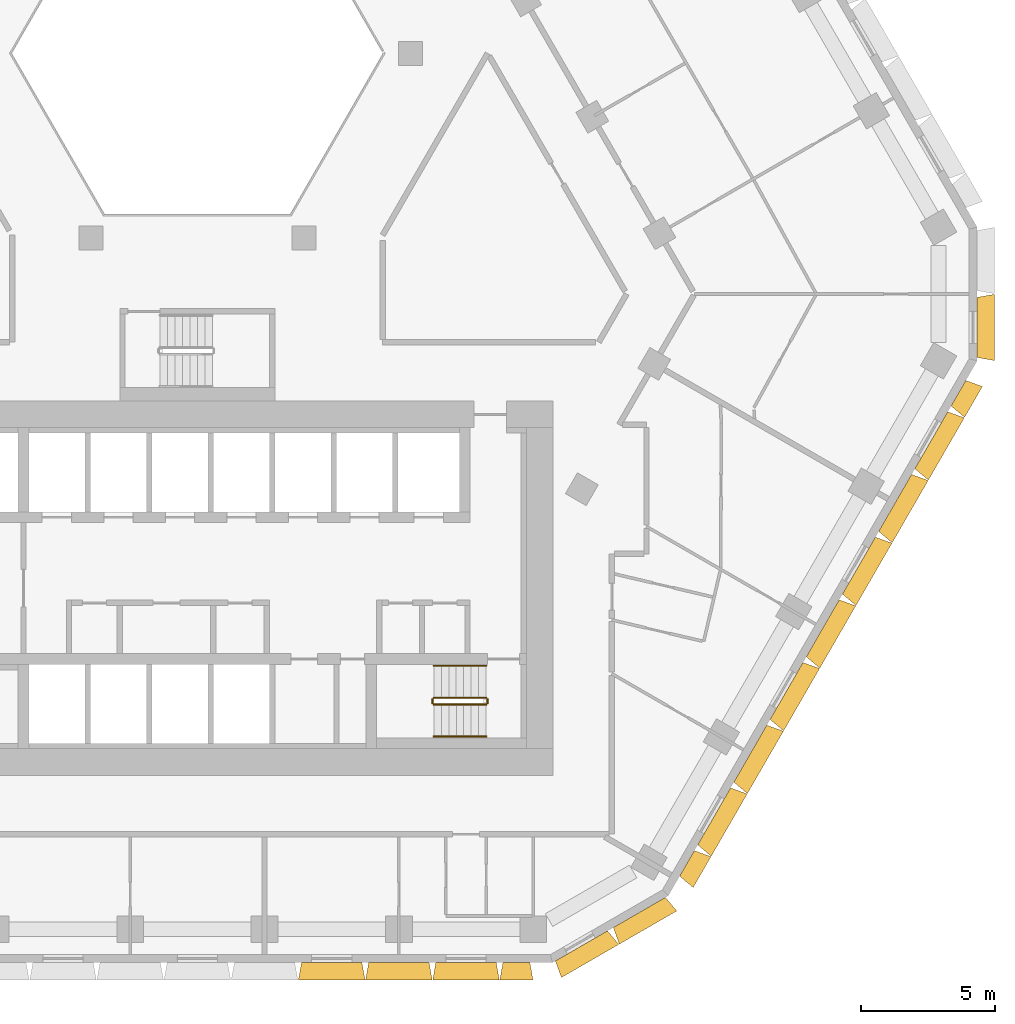
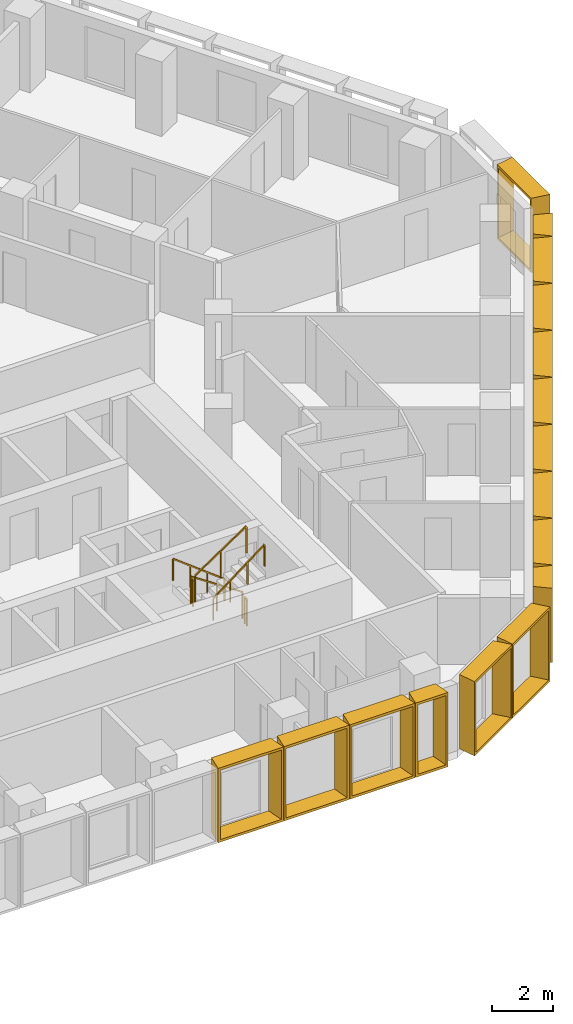
# One storey, part 15 of 16: 16 shading devices, 6 railings.
"""IFC4 building model written with IfcOpenShell, lengths in metres."""

import ifcopenshell
import ifcopenshell.guid

model = None  # the IFC model being written
_history = None  # IfcOwnerHistory: only IFC2X3 demands one
_inside = {}  # id of a spatial element -> (the spatial element, [elements in it])
_under = {}  # id of a project, library or spatial element -> (it, [spatial elements below it])
_declared = {}  # id of a project -> (the project, [libraries it declares])
_typed = {}  # id of a type object -> (the type object, [elements of that type])
_made_of = {}  # id of a material, layer set ... -> (it, [elements and type objects made of it])


def new_model(schema):
    """Start an empty IFC model of exactly this schema.

    Asked for "IFC4X3", IfcOpenShell would pick the latest addendum, in which some entities
    have other attributes; the version numbers below select the first issue.
    IFC2X3 requires an IfcOwnerHistory on every rooted entity: one is made here for all.
    """
    global model, _history
    if schema == "IFC4X3":
        model = ifcopenshell.file(schema_version=(4, 3, 0, 0))
    else:
        model = ifcopenshell.file(schema=schema)
    _inside.clear()
    _under.clear()
    _declared.clear()
    _typed.clear()
    _made_of.clear()
    _history = None
    if model.schema == "IFC2X3":
        org = make("IfcOrganization", Name="unknown")
        user = make(
            "IfcPersonAndOrganization",
            ThePerson=make("IfcPerson", FamilyName="unknown"),
            TheOrganization=org,
        )
        app = make(
            "IfcApplication",
            ApplicationDeveloper=org,
            Version="unknown",
            ApplicationFullName="unknown",
            ApplicationIdentifier="unknown",
        )
        _history = make(
            "IfcOwnerHistory",
            OwningUser=user,
            OwningApplication=app,
            ChangeAction="ADDED",
            CreationDate=0,
        )
    return model


def make(cls, **values):
    """One entity of the class cls with the attributes given. An attribute that is None is left unset."""
    return model.create_entity(
        cls, **{name: value for name, value in values.items() if value is not None}
    )


def entity(cls, *values):
    """Any entity or typed value of the class cls, its attributes in the order of the schema. None: left unset."""
    e = model.create_entity(cls)
    for i, value in enumerate(values):
        if value is not None:
            e[i] = value
    return e


def rooted(cls, **values):
    """An entity with a GlobalId (a new one), such as an element, a storey or a relation."""
    return make(cls, GlobalId=ifcopenshell.guid.new(), OwnerHistory=_history, **values)


def si_unit(unit_type, name, prefix=None):
    """IfcSIUnit, for example si_unit("LENGTHUNIT", "METRE", prefix="MILLI")."""
    return make("IfcSIUnit", UnitType=unit_type, Prefix=prefix, Name=name)


def assignment(units):
    """IfcUnitAssignment: the units of a project."""
    return None if units is None else make("IfcUnitAssignment", Units=units)


def point(xyz):
    """IfcCartesianPoint."""
    return None if xyz is None else make("IfcCartesianPoint", Coordinates=xyz)


def direction(xyz):
    """IfcDirection."""
    return None if xyz is None else make("IfcDirection", DirectionRatios=xyz)


def frame(location, z_axis=None, x_axis=None):
    """IfcAxis2Placement3D, a coordinate frame: its origin and axes. An axis left out is left unset."""
    return make(
        "IfcAxis2Placement3D",
        Location=point(location),
        Axis=direction(z_axis),
        RefDirection=direction(x_axis),
    )


def frame_2d(location, x_axis=None):
    """IfcAxis2Placement2D, a coordinate frame in the plane: its origin and x axis."""
    return make(
        "IfcAxis2Placement2D", Location=point(location), RefDirection=direction(x_axis)
    )


def origin():
    """The frame at (0, 0, 0) with its axes left unset."""
    return frame((0.0, 0.0, 0.0))


def origin_2d():
    """The frame at (0, 0) in the plane with its x axis left unset."""
    return frame_2d((0.0, 0.0))


def place(relative_to, where):
    """IfcLocalPlacement: puts the frame where relative to a parent placement (None: the world)."""
    return make(
        "IfcLocalPlacement", PlacementRelTo=relative_to, RelativePlacement=where
    )


def context(
    kind, dimensions, precision=None, world=None, true_north=None, identifier=None
):
    """IfcGeometricRepresentationContext, for example the 3D "Model" context."""
    return make(
        "IfcGeometricRepresentationContext",
        ContextIdentifier=identifier,
        ContextType=kind,
        CoordinateSpaceDimension=dimensions,
        Precision=precision,
        WorldCoordinateSystem=world,
        TrueNorth=true_north,
    )


def subcontext(parent, identifier, kind, view, scale=None):
    """IfcGeometricRepresentationSubContext, for example "Body" below "Model"."""
    return make(
        "IfcGeometricRepresentationSubContext",
        ContextIdentifier=identifier,
        ContextType=kind,
        ParentContext=parent,
        TargetScale=scale,
        TargetView=view,
    )


def project(units=None, contexts=None):
    """IfcProject with its units and contexts."""
    return rooted(
        "IfcProject",
        Name="project",
        RepresentationContexts=contexts,
        UnitsInContext=assignment(units),
    )


def spatial(cls, under=None, at=None, **own):
    """A site, building, storey or space (cls), placed at a placement, below another one or the project."""
    s = rooted(cls, ObjectPlacement=at, **own)
    if under is not None:
        _under.setdefault(under.id(), (under, []))[1].append(s)
    return s


def profile(cls, at=None, kind="AREA", **sizes):
    """A parametric profile (cls). Its sizes go by their IFC names, for example OverallWidth=200.0."""
    return make(cls, ProfileType=kind, Position=at, **sizes)


def rectangle(**sizes):
    """IfcRectangleProfileDef."""
    return profile("IfcRectangleProfileDef", **sizes)


def extrude(swept, where, along, depth):
    """IfcExtrudedAreaSolid: the profile swept, set in the frame where, extruded along a direction by depth."""
    return make(
        "IfcExtrudedAreaSolid",
        SweptArea=swept,
        Position=where,
        ExtrudedDirection=direction(along),
        Depth=depth,
    )


def shape(context_of_items, identifier, shape_type, items):
    """IfcShapeRepresentation: the items that make up one representation, for example the "Body"."""
    return make(
        "IfcShapeRepresentation",
        ContextOfItems=context_of_items,
        RepresentationIdentifier=identifier,
        RepresentationType=shape_type,
        Items=items,
    )


def source(mapping_origin, context_of_items, identifier, shape_type, items):
    """IfcRepresentationMap: a shape defined once, which mapped items show again and again."""
    return make(
        "IfcRepresentationMap",
        MappingOrigin=mapping_origin,
        MappedRepresentation=shape(context_of_items, identifier, shape_type, items),
    )


def transform(
    local_origin,
    x_axis=None,
    y_axis=None,
    z_axis=None,
    scale=None,
    scale2=None,
    scale3=None,
    uniform=True,
):
    """IfcCartesianTransformationOperator3D, or its non-uniform kind. x_axis, y_axis, z_axis: its Axis1, 2, 3."""
    if uniform:
        return make(
            "IfcCartesianTransformationOperator3D",
            Axis1=direction(x_axis),
            Axis2=direction(y_axis),
            LocalOrigin=point(local_origin),
            Scale=scale,
            Axis3=direction(z_axis),
        )
    return make(
        "IfcCartesianTransformationOperator3DnonUniform",
        Axis1=direction(x_axis),
        Axis2=direction(y_axis),
        LocalOrigin=point(local_origin),
        Scale=scale,
        Axis3=direction(z_axis),
        Scale2=scale2,
        Scale3=scale3,
    )


def mapped(mapping_source, mapping_target):
    """IfcMappedItem: shows the shape of a source again, moved by a transform."""
    return make(
        "IfcMappedItem", MappingSource=mapping_source, MappingTarget=mapping_target
    )


def material(Name=None, Category=None):
    """IfcMaterial."""
    return make("IfcMaterial", Name=Name, Category=Category)


def made_of(thing, what):
    """Note that an element or type object is made of a material, layer set ...; save() writes the relation."""
    if what is not None:
        _made_of.setdefault(what.id(), (what, []))[1].append(thing)
    return thing


def type_object(cls, material=None, **own):
    """A type object (cls), such as IfcWallType, which elements share."""
    return made_of(rooted(cls, **own), material)


def type_shapes(of_type, sources):
    """Give a type object the sources (RepresentationMaps) that its elements show as mapped items."""
    of_type.RepresentationMaps = sources


def element(
    cls,
    number,
    at=None,
    inside=None,
    cuts=None,
    type_object=None,
    material=None,
    context=None,
    identifier="Body",
    shape_type=None,
    held_by="IfcProductDefinitionShape",
    body=None,
    shapes=None,
    **own,
):
    """One element of the class cls, such as IfcWall. Its Tag is "e" and its number.

    at: its placement. inside: the storey or other place that contains it. cuts: it is an
    opening in that element (IfcRelVoidsElement). A single representation is given by context,
    identifier, shape_type and body (its items); several are given by shapes. held_by: the class
    of the entity that holds the representations. save() writes the other relations.
    """
    e = rooted(cls, Tag="e%d" % number, ObjectPlacement=at, **own)
    if body is not None:
        shapes = [shape(context, identifier, shape_type, body)]
    if shapes is not None:
        e.Representation = make(held_by, Representations=shapes)
    if inside is not None:
        _inside.setdefault(inside.id(), (inside, []))[1].append(e)
    if cuts is not None:
        rooted(
            "IfcRelVoidsElement", RelatingBuildingElement=cuts, RelatedOpeningElement=e
        )
    if type_object is not None:
        _typed.setdefault(type_object.id(), (type_object, []))[1].append(e)
    return made_of(e, material)


def aggregate(whole, parts):
    """IfcRelAggregates: a whole, such as a stair, and the parts it consists of."""
    return rooted("IfcRelAggregates", RelatingObject=whole, RelatedObjects=parts)


def save(model, path):
    """Write the relations noted so far, then the file.

    IfcRelAggregates (storeys below a building ...), IfcRelContainedInSpatialStructure (elements
    in a storey), IfcRelDefinesByType, IfcRelAssociatesMaterial and IfcRelDeclares: one each for
    every whole, place, type object, material and project.
    """
    for whole, parts in _under.values():
        aggregate(whole, parts)
    for where, things in _inside.values():
        rooted(
            "IfcRelContainedInSpatialStructure",
            RelatedElements=things,
            RelatingStructure=where,
        )
    for kind, things in _typed.values():
        rooted("IfcRelDefinesByType", RelatedObjects=things, RelatingType=kind)
    for what, things in _made_of.values():
        rooted("IfcRelAssociatesMaterial", RelatedObjects=things, RelatingMaterial=what)
    for by, libraries in _declared.values():
        rooted("IfcRelDeclares", RelatingContext=by, RelatedDefinitions=libraries)
    model.write(path)


model = new_model("IFC4")

# Units and contexts
model_context = context("Model", 3, precision=1e-05, world=origin(), true_north=direction((0.0, 1.0)))
body_context = subcontext(model_context, "Body", "Model", "MODEL_VIEW")
ifc_project = project(units=[si_unit("LENGTHUNIT", "METRE"), si_unit("AREAUNIT", "SQUARE_METRE"), si_unit("VOLUMEUNIT", "CUBIC_METRE"), si_unit("PLANEANGLEUNIT", "RADIAN"), si_unit("MASSUNIT", "GRAM", prefix="KILO")], contexts=[model_context])

# Site, building, storey
site_placement = place(None, origin())
site = spatial("IfcSite", under=ifc_project, at=site_placement, CompositionType="ELEMENT")
building_placement = place(site_placement, origin())
building = spatial("IfcBuilding", under=site, at=building_placement, Name="Beryl Residences", CompositionType="ELEMENT")
storey_placement = place(building_placement, frame((0.0, 0.0, 96.0)))
storey = spatial("IfcBuildingStorey", under=building, at=storey_placement, Name="L29", CompositionType="ELEMENT", Elevation=96.0)

# Shading devices
ifc_material_1 = material(Name="Aluminium pale anodised", Category="aluminium")
shading_device_type_1 = type_object("IfcShadingDeviceType", Name="FR126-65A OUTER SKIN frame 650 mm deep, splay 10/10 deg, 1260 x 3000 mm cell", PredefinedType="USERDEFINED", material=ifc_material_1)
cartesian_point_1 = entity("IfcCartesianPoint", [-0.5048828125, 0.0])
cartesian_point_2 = entity("IfcCartesianPoint", [-0.423828125, 0.10009765625])
cartesian_point_3 = entity("IfcCartesianPoint", [-0.61962890625, 0.0])
cartesian_point_4 = entity("IfcCartesianPoint", [-0.538330078125, 0.10009765625])
shared_shape_1 = source(origin(), body_context, "Body", "SweptSolid", [
    entity("IfcExtrudedAreaSolidTapered", entity("IfcArbitraryProfileDefWithVoids", "AREA", None, entity("IfcPolyline", [cartesian_point_1, entity("IfcCartesianPoint", [0.5048828125, 0.0]), entity("IfcCartesianPoint", [0.5048828125, 3.0]), entity("IfcCartesianPoint", [-0.5048828125, 3.0]), cartesian_point_1]), [entity("IfcPolyline", [cartesian_point_2, entity("IfcCartesianPoint", [0.423828125, 0.10009765625]), entity("IfcCartesianPoint", [0.423828125, 2.89990234375]), entity("IfcCartesianPoint", [-0.423828125, 2.89990234375]), cartesian_point_2])]), entity("IfcAxis2Placement3D", entity("IfcCartesianPoint", [0.0, 0.0, 0.0]), entity("IfcDirection", [0.0, 1.0, 0.0]), entity("IfcDirection", [-1.0, 0.0, 0.0])), entity("IfcDirection", [0.0, 0.0, 1.0]), 0.64990234375, entity("IfcArbitraryProfileDefWithVoids", "AREA", None, entity("IfcPolyline", [cartesian_point_3, entity("IfcCartesianPoint", [0.61962890625, 0.0]), entity("IfcCartesianPoint", [0.61962890625, 3.0]), entity("IfcCartesianPoint", [-0.61962890625, 3.0]), cartesian_point_3]), [entity("IfcPolyline", [cartesian_point_4, entity("IfcCartesianPoint", [0.538330078125, 0.10009765625]), entity("IfcCartesianPoint", [0.538330078125, 2.89990234375]), entity("IfcCartesianPoint", [-0.538330078125, 2.89990234375]), cartesian_point_4])])),
])
type_shapes(shading_device_type_1, [shared_shape_1])
shading_device_placement = place(storey_placement, frame((11.929931640625, -26.0, 0.0), z_axis=(0.0, 0.0, 1.0), x_axis=(-1.0, 0.0, 0.0)))
element("IfcShadingDevice", 1, at=shading_device_placement, inside=storey, type_object=shading_device_type_1, Name="FR126-65A frame L29 S 11", ObjectType="OUTER SKIN", PredefinedType="USERDEFINED", context=body_context, shape_type="MappedRepresentation", body=[
    mapped(shared_shape_1, transform((0.0, 0.0, 0.0))),
])
ifc_material_2 = material(Name="Aluminium pale anodised", Category="aluminium")
shading_device_type_2 = type_object("IfcShadingDeviceType", Name="FR135-65A OUTER SKIN frame 650 mm deep, splay 10/10 deg, 1350 x 3000 mm cell", PredefinedType="USERDEFINED", material=ifc_material_2)
cartesian_point_5 = entity("IfcCartesianPoint", [-0.550048828125, 0.0])
cartesian_point_6 = entity("IfcCartesianPoint", [-0.46875, 0.10009765625])
cartesian_point_7 = entity("IfcCartesianPoint", [-0.66455078125, 0.0])
cartesian_point_8 = entity("IfcCartesianPoint", [-0.58349609375, 0.10009765625])
shared_shape_2 = source(origin(), body_context, "Body", "SweptSolid", [
    entity("IfcExtrudedAreaSolidTapered", entity("IfcArbitraryProfileDefWithVoids", "AREA", None, entity("IfcPolyline", [cartesian_point_5, entity("IfcCartesianPoint", [0.550048828125, 0.0]), entity("IfcCartesianPoint", [0.550048828125, 3.0]), entity("IfcCartesianPoint", [-0.550048828125, 3.0]), cartesian_point_5]), [entity("IfcPolyline", [cartesian_point_6, entity("IfcCartesianPoint", [0.46875, 0.10009765625]), entity("IfcCartesianPoint", [0.46875, 2.89990234375]), entity("IfcCartesianPoint", [-0.46875, 2.89990234375]), cartesian_point_6])]), entity("IfcAxis2Placement3D", entity("IfcCartesianPoint", [0.0, 0.0, 0.0]), entity("IfcDirection", [0.0, 1.0, 0.0]), entity("IfcDirection", [-1.0, 0.0, 0.0])), entity("IfcDirection", [0.0, 0.0, 1.0]), 0.64990234375, entity("IfcArbitraryProfileDefWithVoids", "AREA", None, entity("IfcPolyline", [cartesian_point_7, entity("IfcCartesianPoint", [0.66455078125, 0.0]), entity("IfcCartesianPoint", [0.66455078125, 3.0]), entity("IfcCartesianPoint", [-0.66455078125, 3.0]), cartesian_point_7]), [entity("IfcPolyline", [cartesian_point_8, entity("IfcCartesianPoint", [0.58349609375, 0.10009765625]), entity("IfcCartesianPoint", [0.58349609375, 2.89990234375]), entity("IfcCartesianPoint", [-0.58349609375, 2.89990234375]), cartesian_point_8])])),
])
type_shapes(shading_device_type_2, [shared_shape_2])
for number, where, z_axis, x_axis, name in (
    (2, (18.30810546875, -22.2900390625, 0.0), (0.0, 0.0, 1.0), (-0.5, -0.866025403784, 0.0), "FR135-65A frame L29 SE 1"),
    (3, (28.4580078125, -4.7099609375, 0.0), (0.0, 0.0, 1.0), (-0.5, -0.866025403784, 0.0), "FR135-65A frame L29 SE 9"),
):
    element("IfcShadingDevice", number, at=place(storey_placement, frame(where, z_axis=z_axis, x_axis=x_axis)), inside=storey, type_object=shading_device_type_2, Name=name, ObjectType="OUTER SKIN", PredefinedType="USERDEFINED", context=body_context, shape_type="MappedRepresentation", body=[
        mapped(shared_shape_2, transform((0.0, 0.0, 0.0))),
    ])
ifc_material_3 = material(Name="Aluminium pale anodised", Category="aluminium")
shading_device_type_3 = type_object("IfcShadingDeviceType", Name="FR250-65A OUTER SKIN frame 650 mm deep, splay 10/10 deg, 2500 x 3000 mm cell", PredefinedType="USERDEFINED", material=ifc_material_3)
cartesian_point_9 = entity("IfcCartesianPoint", [-1.125, 0.0])
cartesian_point_10 = entity("IfcCartesianPoint", [-1.043701171875, 0.10009765625])
cartesian_point_11 = entity("IfcCartesianPoint", [-1.239501953125, 0.0])
cartesian_point_12 = entity("IfcCartesianPoint", [-1.158447265625, 0.10009765625])
shared_shape_3 = source(origin(), body_context, "Body", "SweptSolid", [
    entity("IfcExtrudedAreaSolidTapered", entity("IfcArbitraryProfileDefWithVoids", "AREA", None, entity("IfcPolyline", [cartesian_point_9, entity("IfcCartesianPoint", [1.125, 0.0]), entity("IfcCartesianPoint", [1.125, 3.0]), entity("IfcCartesianPoint", [-1.125, 3.0]), cartesian_point_9]), [entity("IfcPolyline", [cartesian_point_10, entity("IfcCartesianPoint", [1.043701171875, 0.10009765625]), entity("IfcCartesianPoint", [1.043701171875, 2.89990234375]), entity("IfcCartesianPoint", [-1.043701171875, 2.89990234375]), cartesian_point_10])]), entity("IfcAxis2Placement3D", entity("IfcCartesianPoint", [0.0, 0.0, 0.0]), entity("IfcDirection", [0.0, 1.0, 0.0]), entity("IfcDirection", [-1.0, 0.0, 0.0])), entity("IfcDirection", [0.0, 0.0, 1.0]), 0.64990234375, entity("IfcArbitraryProfileDefWithVoids", "AREA", None, entity("IfcPolyline", [cartesian_point_11, entity("IfcCartesianPoint", [1.239501953125, 0.0]), entity("IfcCartesianPoint", [1.239501953125, 3.0]), entity("IfcCartesianPoint", [-1.239501953125, 3.0]), cartesian_point_11]), [entity("IfcPolyline", [cartesian_point_12, entity("IfcCartesianPoint", [1.158447265625, 0.10009765625]), entity("IfcCartesianPoint", [1.158447265625, 2.89990234375]), entity("IfcCartesianPoint", [-1.158447265625, 2.89990234375]), cartesian_point_12])])),
])
type_shapes(shading_device_type_3, [shared_shape_3])
for number, where, z_axis, x_axis, name in (
    (4, (14.361083984375, -25.375, 0.0), (0.0, 0.0, 1.0), (-0.866025403784, -0.5, 0.0), "FR250-65A frame L29 S-SE 1"),
    (5, (16.527099609375, -24.125, 0.0), (0.0, 0.0, 1.0), (-0.866025403784, -0.5, 0.0), "FR250-65A frame L29 S-SE 2"),
    (6, (29.156982421875, -2.25, 0.0), (0.0, 0.0, 1.0), (0.0, -1.0, 0.0), "FR250-65A frame L29 SE-NE 1"),
):
    element("IfcShadingDevice", number, at=place(storey_placement, frame(where, z_axis=z_axis, x_axis=x_axis)), inside=storey, type_object=shading_device_type_3, Name=name, ObjectType="OUTER SKIN", PredefinedType="USERDEFINED", context=body_context, shape_type="MappedRepresentation", body=[
        mapped(shared_shape_3, transform((0.0, 0.0, 0.0))),
    ])
ifc_material_4 = material(Name="Aluminium pale anodised", Category="aluminium")
shading_device_type_4 = type_object("IfcShadingDeviceType", Name="FR251-65A OUTER SKIN frame 650 mm deep, splay 10/10 deg, 2510 x 3000 mm cell", PredefinedType="USERDEFINED", material=ifc_material_4)
cartesian_point_13 = entity("IfcCartesianPoint", [-1.1298828125, 0.0])
cartesian_point_14 = entity("IfcCartesianPoint", [-1.048828125, 0.10009765625])
cartesian_point_15 = entity("IfcCartesianPoint", [-1.24462890625, 0.0])
cartesian_point_16 = entity("IfcCartesianPoint", [-1.163330078125, 0.10009765625])
shared_shape_4 = source(origin(), body_context, "Body", "SweptSolid", [
    entity("IfcExtrudedAreaSolidTapered", entity("IfcArbitraryProfileDefWithVoids", "AREA", None, entity("IfcPolyline", [cartesian_point_13, entity("IfcCartesianPoint", [1.1298828125, 0.0]), entity("IfcCartesianPoint", [1.1298828125, 3.0]), entity("IfcCartesianPoint", [-1.1298828125, 3.0]), cartesian_point_13]), [entity("IfcPolyline", [cartesian_point_14, entity("IfcCartesianPoint", [1.048828125, 0.10009765625]), entity("IfcCartesianPoint", [1.048828125, 2.89990234375]), entity("IfcCartesianPoint", [-1.048828125, 2.89990234375]), cartesian_point_14])]), entity("IfcAxis2Placement3D", entity("IfcCartesianPoint", [0.0, 0.0, 0.0]), entity("IfcDirection", [0.0, 1.0, 0.0]), entity("IfcDirection", [-1.0, 0.0, 0.0])), entity("IfcDirection", [0.0, 0.0, 1.0]), 0.64990234375, entity("IfcArbitraryProfileDefWithVoids", "AREA", None, entity("IfcPolyline", [cartesian_point_15, entity("IfcCartesianPoint", [1.24462890625, 0.0]), entity("IfcCartesianPoint", [1.24462890625, 3.0]), entity("IfcCartesianPoint", [-1.24462890625, 3.0]), cartesian_point_15]), [entity("IfcPolyline", [cartesian_point_16, entity("IfcCartesianPoint", [1.163330078125, 0.10009765625]), entity("IfcCartesianPoint", [1.163330078125, 2.89990234375]), entity("IfcCartesianPoint", [-1.163330078125, 2.89990234375]), cartesian_point_16])])),
])
type_shapes(shading_device_type_4, [shared_shape_4])
for number, where, z_axis, x_axis, name in (
    (7, (5.02392578125, -26.0, 0.0), (0.0, 0.0, 1.0), (-1.0, 0.0, 0.0), "FR251-65A frame L29 S 8"),
    (8, (7.534912109375, -26.0, 0.0), (0.0, 0.0, 1.0), (-1.0, 0.0, 0.0), "FR251-65A frame L29 S 9"),
    (9, (10.0458984375, -26.0, 0.0), (0.0, 0.0, 1.0), (-1.0, 0.0, 0.0), "FR251-65A frame L29 S 10"),
):
    element("IfcShadingDevice", number, at=place(storey_placement, frame(where, z_axis=z_axis, x_axis=x_axis)), inside=storey, type_object=shading_device_type_4, Name=name, ObjectType="OUTER SKIN", PredefinedType="USERDEFINED", context=body_context, shape_type="MappedRepresentation", body=[
        mapped(shared_shape_4, transform((0.0, 0.0, 0.0))),
    ])
ifc_material_5 = material(Name="Aluminium pale anodised", Category="aluminium")
shading_device_type_5 = type_object("IfcShadingDeviceType", Name="FR271-65A OUTER SKIN frame 650 mm deep, splay 10/10 deg, 2710 x 3000 mm cell", PredefinedType="USERDEFINED", material=ifc_material_5)
cartesian_point_17 = entity("IfcCartesianPoint", [-1.22998046875, 0.0])
cartesian_point_18 = entity("IfcCartesianPoint", [-1.148681640625, 0.10009765625])
cartesian_point_19 = entity("IfcCartesianPoint", [-1.3447265625, 0.0])
cartesian_point_20 = entity("IfcCartesianPoint", [-1.263427734375, 0.10009765625])
shared_shape_5 = source(origin(), body_context, "Body", "SweptSolid", [
    entity("IfcExtrudedAreaSolidTapered", entity("IfcArbitraryProfileDefWithVoids", "AREA", None, entity("IfcPolyline", [cartesian_point_17, entity("IfcCartesianPoint", [1.22998046875, 0.0]), entity("IfcCartesianPoint", [1.22998046875, 3.0]), entity("IfcCartesianPoint", [-1.22998046875, 3.0]), cartesian_point_17]), [entity("IfcPolyline", [cartesian_point_18, entity("IfcCartesianPoint", [1.148681640625, 0.10009765625]), entity("IfcCartesianPoint", [1.148681640625, 2.89990234375]), entity("IfcCartesianPoint", [-1.148681640625, 2.89990234375]), cartesian_point_18])]), entity("IfcAxis2Placement3D", entity("IfcCartesianPoint", [0.0, 0.0, 0.0]), entity("IfcDirection", [0.0, 1.0, 0.0]), entity("IfcDirection", [-1.0, 0.0, 0.0])), entity("IfcDirection", [0.0, 0.0, 1.0]), 0.64990234375, entity("IfcArbitraryProfileDefWithVoids", "AREA", None, entity("IfcPolyline", [cartesian_point_19, entity("IfcCartesianPoint", [1.3447265625, 0.0]), entity("IfcCartesianPoint", [1.3447265625, 3.0]), entity("IfcCartesianPoint", [-1.3447265625, 3.0]), cartesian_point_19]), [entity("IfcPolyline", [cartesian_point_20, entity("IfcCartesianPoint", [1.263427734375, 0.10009765625]), entity("IfcCartesianPoint", [1.263427734375, 2.89990234375]), entity("IfcCartesianPoint", [-1.263427734375, 2.89990234375]), cartesian_point_20])])),
])
type_shapes(shading_device_type_5, [shared_shape_5])
for number, where, z_axis, x_axis, name in (
    (10, (19.322998046875, -20.531982421875, 0.0), (0.0, 0.0, 1.0), (-0.5, -0.866025403784, 0.0), "FR271-65A frame L29 SE 2"),
    (11, (20.676025390625, -18.18798828125, 0.0), (0.0, 0.0, 1.0), (-0.5, -0.866025403784, 0.0), "FR271-65A frame L29 SE 3"),
    (12, (22.030029296875, -15.843994140625, 0.0), (0.0, 0.0, 1.0), (-0.5, -0.866025403784, 0.0), "FR271-65A frame L29 SE 4"),
    (13, (23.383056640625, -13.5, 0.0), (0.0, 0.0, 1.0), (-0.5, -0.866025403784, 0.0), "FR271-65A frame L29 SE 5"),
    (14, (24.736083984375, -11.156005859375, 0.0), (0.0, 0.0, 1.0), (-0.5, -0.866025403784, 0.0), "FR271-65A frame L29 SE 6"),
    (15, (26.090087890625, -8.81201171875, 0.0), (0.0, 0.0, 1.0), (-0.5, -0.866025403784, 0.0), "FR271-65A frame L29 SE 7"),
    (16, (27.443115234375, -6.468017578125, 0.0), (0.0, 0.0, 1.0), (-0.5, -0.866025403784, 0.0), "FR271-65A frame L29 SE 8"),
):
    element("IfcShadingDevice", number, at=place(storey_placement, frame(where, z_axis=z_axis, x_axis=x_axis)), inside=storey, type_object=shading_device_type_5, Name=name, ObjectType="OUTER SKIN", PredefinedType="USERDEFINED", context=body_context, shape_type="MappedRepresentation", body=[
        mapped(shared_shape_5, transform((0.0, 0.0, 0.0))),
    ])

# Railings
ifc_material_6 = material(Name="Stainless steel balustrade with glass infill", Category="steel")
railing_type_1 = type_object("IfcRailingType", Name="SG1 stair guard 1100 mm", PredefinedType="GUARDRAIL", material=ifc_material_6)
railing_1_placement = place(storey_placement, frame((10.800048828125, -16.10009765625, 0.1875)))
element("IfcRailing", 17, at=railing_1_placement, inside=storey, type_object=railing_type_1, Name="L29 ST-3 stair guard 1", PredefinedType="GUARDRAIL", context=body_context, shape_type="SweptSolid", body=[
    extrude(rectangle(XDim=0.048095703125, YDim=0.048095703125, at=origin_2d()), frame((0.0, 0.0, 1.076171875), z_axis=(-0.830902050051, 0.0, 0.556418712142), x_axis=(0.0, -1.0, 0.0)), (0.0, 0.0, 1.0), 2.35888671875),
    extrude(rectangle(XDim=0.0419921875, YDim=0.0419921875, at=origin_2d()), origin(), (0.0, 0.0, 1.0), 1.052001953125),
    extrude(rectangle(XDim=0.0419921875, YDim=0.0419921875, at=origin_2d()), frame((-0.97998046875, 0.0, 0.65625)), (0.0, 0.0, 1.0), 1.052001953125),
    extrude(rectangle(XDim=0.0419921875, YDim=0.0419921875, at=origin_2d()), frame((-1.9599609375, 0.0, 1.3125)), (0.0, 0.0, 1.0), 1.052001953125),
])
railing_2_placement = place(storey_placement, frame((8.7900390625, -16.14990234375, 1.5)))
element("IfcRailing", 18, at=railing_2_placement, inside=storey, type_object=railing_type_1, Name="L29 ST-3 stair guard 2", PredefinedType="GUARDRAIL", context=body_context, shape_type="SweptSolid", body=[
    extrude(rectangle(XDim=0.048095703125, YDim=0.048095703125, at=origin_2d()), frame((0.0, 0.0, 1.076171875), z_axis=(0.0, -1.0, 0.0), x_axis=(1.0, 0.0, 0.0)), (0.0, 0.0, 1.0), 0.150146484375),
    extrude(rectangle(XDim=0.0419921875, YDim=0.0419921875, at=origin_2d()), origin(), (0.0, 0.0, 1.0), 1.052001953125),
    extrude(rectangle(XDim=0.0419921875, YDim=0.0419921875, at=origin_2d()), frame((0.0, -0.150146484375, 0.0)), (0.0, 0.0, 1.0), 1.052001953125),
])
railing_3_placement = place(storey_placement, frame((8.840087890625, -16.35009765625, 1.6875)))
element("IfcRailing", 19, at=railing_3_placement, inside=storey, type_object=railing_type_1, Name="L29 ST-3 stair guard 3", PredefinedType="GUARDRAIL", context=body_context, shape_type="SweptSolid", body=[
    extrude(rectangle(XDim=0.048095703125, YDim=0.048095703125, at=origin_2d()), frame((0.0, 0.0, 1.076171875), z_axis=(0.830902050051, 0.0, 0.556418712142), x_axis=(0.0, 1.0, 0.0)), (0.0, 0.0, 1.0), 2.35888671875),
    extrude(rectangle(XDim=0.0419921875, YDim=0.0419921875, at=origin_2d()), origin(), (0.0, 0.0, 1.0), 1.052001953125),
    extrude(rectangle(XDim=0.0419921875, YDim=0.0419921875, at=origin_2d()), frame((0.97998046875, 0.0, 0.65625)), (0.0, 0.0, 1.0), 1.052001953125),
    extrude(rectangle(XDim=0.0419921875, YDim=0.0419921875, at=origin_2d()), frame((1.9599609375, 0.0, 1.3125)), (0.0, 0.0, 1.0), 1.052001953125),
])
railing_4_placement = place(storey_placement, frame((10.85009765625, -16.14990234375, 0.0)))
element("IfcRailing", 20, at=railing_4_placement, inside=storey, type_object=railing_type_1, Name="L29 ST-3 stair guard 4", PredefinedType="GUARDRAIL", context=body_context, shape_type="SweptSolid", body=[
    extrude(rectangle(XDim=0.048095703125, YDim=0.048095703125, at=origin_2d()), frame((0.0, 0.0, 1.076171875), z_axis=(0.0, -1.0, 0.0), x_axis=(1.0, 0.0, 0.0)), (0.0, 0.0, 1.0), 0.150146484375),
    extrude(rectangle(XDim=0.0419921875, YDim=0.0419921875, at=origin_2d()), origin(), (0.0, 0.0, 1.0), 1.052001953125),
    extrude(rectangle(XDim=0.0419921875, YDim=0.0419921875, at=origin_2d()), frame((0.0, -0.150146484375, 0.0)), (0.0, 0.0, 1.0), 1.052001953125),
])
ifc_material_7 = material(Name="Stainless steel handrail", Category="steel")
railing_type_2 = type_object("IfcRailingType", Name="SRL1 stair handrail 900 mm", PredefinedType="HANDRAIL", material=ifc_material_7)
railing_5_placement = place(storey_placement, frame((10.800048828125, -14.89990234375, 0.1875)))
element("IfcRailing", 21, at=railing_5_placement, inside=storey, type_object=railing_type_2, Name="L29 ST-3 stair handrail 1", PredefinedType="HANDRAIL", context=body_context, shape_type="SweptSolid", body=[
    extrude(rectangle(XDim=0.048095703125, YDim=0.048095703125, at=origin_2d()), frame((0.0, 0.0, 0.8759765625), z_axis=(-0.794121922505, 0.0, 0.607758481798), x_axis=(0.0, -1.0, 0.0)), (0.0, 0.0, 1.0), 2.468017578125),
    extrude(rectangle(XDim=0.0419921875, YDim=0.0419921875, at=origin_2d()), origin(), (0.0, 0.0, 1.0), 0.851806640625),
    extrude(rectangle(XDim=0.0419921875, YDim=0.0419921875, at=origin_2d()), frame((-0.6533203125, 0.0, 0.5)), (0.0, 0.0, 1.0), 0.851806640625),
    extrude(rectangle(XDim=0.0419921875, YDim=0.0419921875, at=origin_2d()), frame((-1.306640625, 0.0, 1.0)), (0.0, 0.0, 1.0), 0.851806640625),
    extrude(rectangle(XDim=0.0419921875, YDim=0.0419921875, at=origin_2d()), frame((-1.9599609375, 0.0, 1.5)), (0.0, 0.0, 1.0), 0.851806640625),
])
railing_6_placement = place(storey_placement, frame((8.840087890625, -17.550048828125, 1.6875)))
element("IfcRailing", 22, at=railing_6_placement, inside=storey, type_object=railing_type_2, Name="L29 ST-3 stair handrail 2", PredefinedType="HANDRAIL", context=body_context, shape_type="SweptSolid", body=[
    extrude(rectangle(XDim=0.048095703125, YDim=0.048095703125, at=origin_2d()), frame((0.0, 0.0, 0.8759765625), z_axis=(0.794121922505, 0.0, 0.607758481798), x_axis=(0.0, 1.0, 0.0)), (0.0, 0.0, 1.0), 2.468017578125),
    extrude(rectangle(XDim=0.0419921875, YDim=0.0419921875, at=origin_2d()), origin(), (0.0, 0.0, 1.0), 0.851806640625),
    extrude(rectangle(XDim=0.0419921875, YDim=0.0419921875, at=origin_2d()), frame((0.6533203125, 0.0, 0.5)), (0.0, 0.0, 1.0), 0.851806640625),
    extrude(rectangle(XDim=0.0419921875, YDim=0.0419921875, at=origin_2d()), frame((1.306640625, 0.0, 1.0)), (0.0, 0.0, 1.0), 0.851806640625),
    extrude(rectangle(XDim=0.0419921875, YDim=0.0419921875, at=origin_2d()), frame((1.9599609375, 0.0, 1.5)), (0.0, 0.0, 1.0), 0.851806640625),
])

save(model, "model.ifc")
